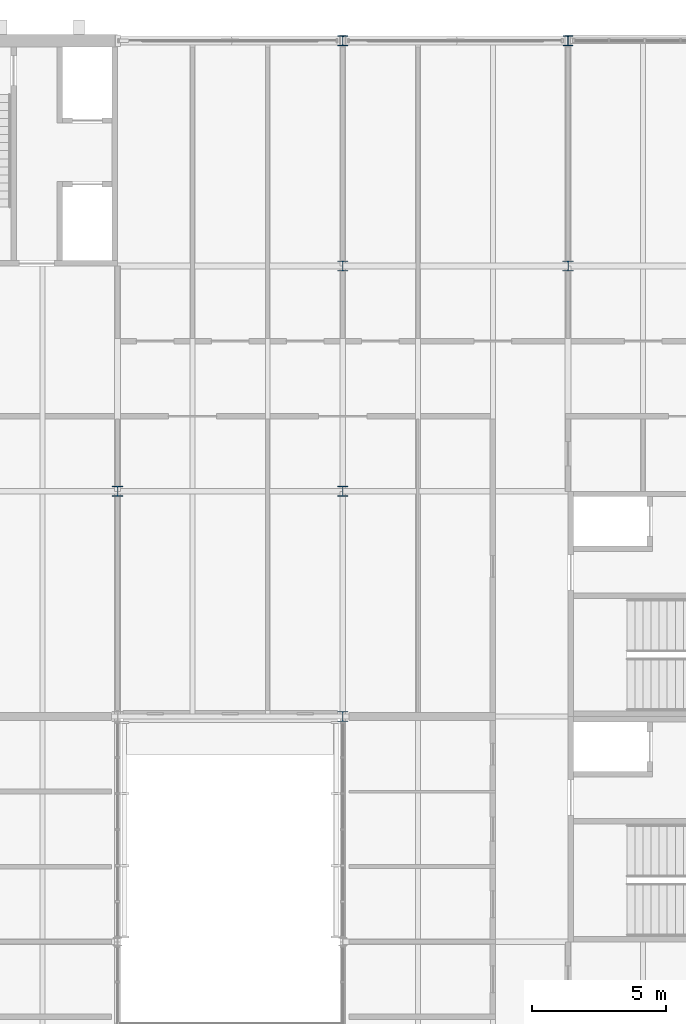
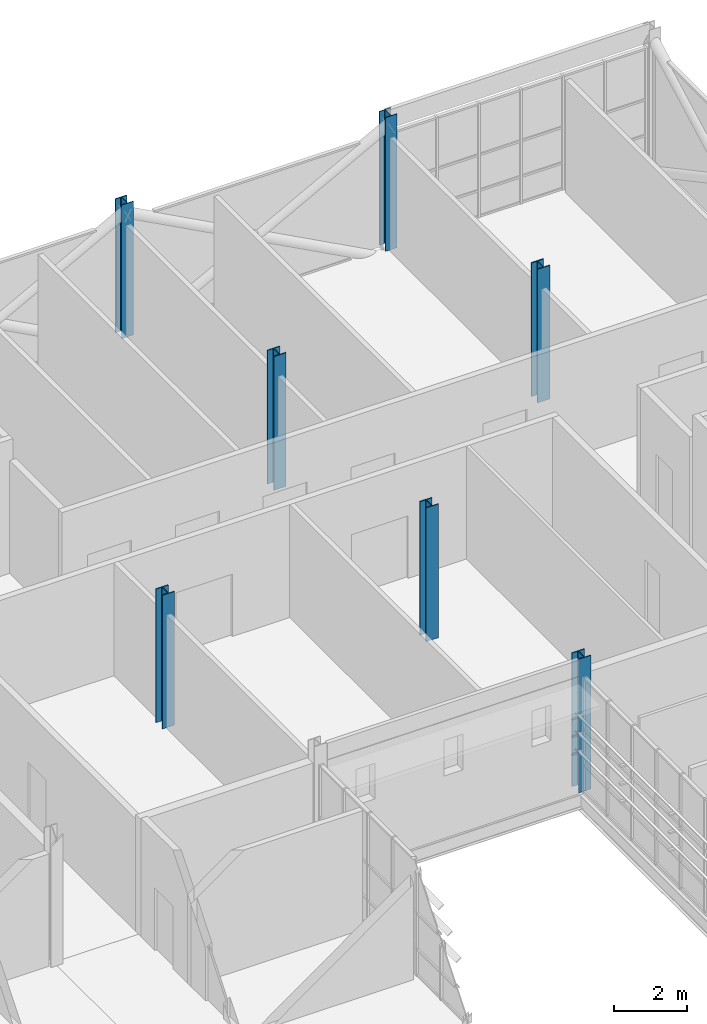
# One storey, part 10 of 129: 7 columns.
"""IFC4 building model written with IfcOpenShell, lengths in metres."""

from ifc_helpers import new_model, si_unit, direction, frame, origin, origin_2d, place, context, subcontext, project, spatial, i_section, extrude, material, material_profile, profile_set, type_object, element, save


model = new_model("IFC4")

# Units and contexts
model_context = context("Model", 3, precision=1e-05, world=origin(), true_north=direction((0.0, 1.0)))
body_context = subcontext(model_context, "Body", "Model", "MODEL_VIEW")
ifc_project = project(units=[si_unit("LENGTHUNIT", "METRE"), si_unit("AREAUNIT", "SQUARE_METRE"), si_unit("VOLUMEUNIT", "CUBIC_METRE"), si_unit("PLANEANGLEUNIT", "RADIAN"), si_unit("MASSUNIT", "GRAM", prefix="KILO")], contexts=[model_context])

# Site, building, storey
site_placement = place(None, origin())
site = spatial("IfcSite", under=ifc_project, at=site_placement, CompositionType="ELEMENT")
building_placement = place(site_placement, origin())
building = spatial("IfcBuilding", under=site, at=building_placement, Name="Ardhachandra Cancer Care Centre", CompositionType="ELEMENT")
storey_placement = place(building_placement, frame((0.0, 0.0, 4.5)))
storey = spatial("IfcBuildingStorey", under=building, at=storey_placement, Name="L01", CompositionType="ELEMENT", Elevation=4.5)

# Columns
ifc_material_1 = material(Name="Steel E350 (IS 2062)", Category="steel")
ifc_material_profile_1 = material_profile(ifc_material_1, i_section(OverallWidth=0.37109375, OverallDepth=0.364013671875, WebThickness=0.01318359375, FlangeThickness=0.021728515625, FilletRadius=0.027099609375, at=origin_2d()), Name="WPB 360x370x165.34")
ifc_profile_set_1 = profile_set([ifc_material_profile_1], Name="Steel E350 (IS 2062)")
column_type_1 = type_object("IfcColumnType", Name="Column WPB 360x370x165.34", PredefinedType="COLUMN", material=ifc_profile_set_1)
for number, where, z_axis, x_axis, name in (
    (1, (128.39990234375, 105.0, 0.0), (0.0, 0.0, 1.0), (1.0, 0.0, 0.0), "Column M15 L01"),
    (2, (136.800048828125, 105.0, 0.0), (0.0, 0.0, 1.0), (1.0, 0.0, 0.0), "Column M16 L01"),
):
    element("IfcColumn", number, at=place(storey_placement, frame(where, z_axis=z_axis, x_axis=x_axis)), inside=storey, type_object=column_type_1, Name=name, PredefinedType="COLUMN", context=body_context, shape_type="SweptSolid", body=[
        extrude(i_section(OverallWidth=0.37109375, OverallDepth=0.364013671875, WebThickness=0.01318359375, FlangeThickness=0.021728515625, FilletRadius=0.027099609375, at=origin_2d()), origin(), (0.0, 0.0, 1.0), 4.5),
    ])
ifc_material_2 = material(Name="Steel E350 (IS 2062)", Category="steel")
ifc_material_profile_2 = material_profile(ifc_material_2, i_section(OverallWidth=0.39501953125, OverallDepth=0.3798828125, WebThickness=0.018798828125, FlangeThickness=0.0302734375, FilletRadius=0.027099609375, at=origin_2d()), Name="WPB 400x400x239.62")
ifc_profile_set_2 = profile_set([ifc_material_profile_2], Name="Steel E350 (IS 2062)")
column_type_2 = type_object("IfcColumnType", Name="Column WPB 400x400x239.62", PredefinedType="COLUMN", material=ifc_profile_set_2)
for number, where, z_axis, x_axis, name in (
    (3, (128.39990234375, 79.800048828125, 0.0), (0.0, 0.0, 1.0), (1.0, 0.0, 0.0), "Column J15 L01"),
    (4, (120.0, 88.199951171875, 0.0), (0.0, 0.0, 1.0), (1.0, 0.0, 0.0), "Column K14 L01"),
    (5, (128.39990234375, 88.199951171875, 0.0), (0.0, 0.0, 1.0), (1.0, 0.0, 0.0), "Column K15 L01"),
    (6, (128.39990234375, 96.60009765625, 0.0), (0.0, 0.0, 1.0), (1.0, 0.0, 0.0), "Column L15 L01"),
    (7, (136.800048828125, 96.60009765625, 0.0), (0.0, 0.0, 1.0), (1.0, 0.0, 0.0), "Column L16 L01"),
):
    element("IfcColumn", number, at=place(storey_placement, frame(where, z_axis=z_axis, x_axis=x_axis)), inside=storey, type_object=column_type_2, Name=name, PredefinedType="COLUMN", context=body_context, shape_type="SweptSolid", body=[
        extrude(i_section(OverallWidth=0.39501953125, OverallDepth=0.3798828125, WebThickness=0.018798828125, FlangeThickness=0.0302734375, FilletRadius=0.027099609375, at=origin_2d()), origin(), (0.0, 0.0, 1.0), 4.5),
    ])

save(model, "model.ifc")
